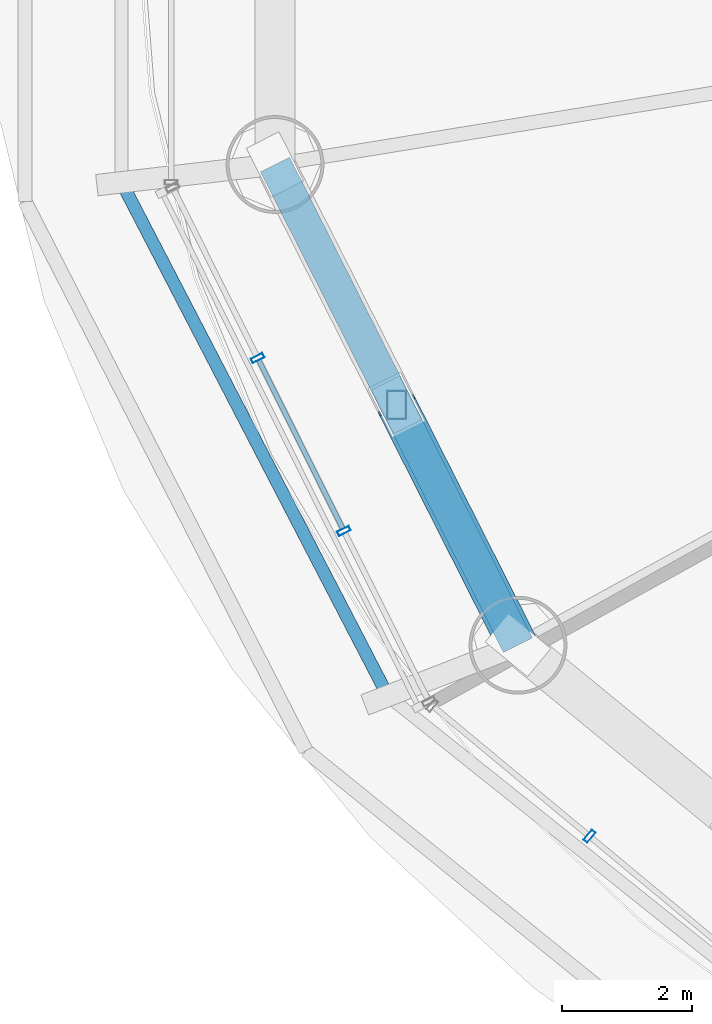
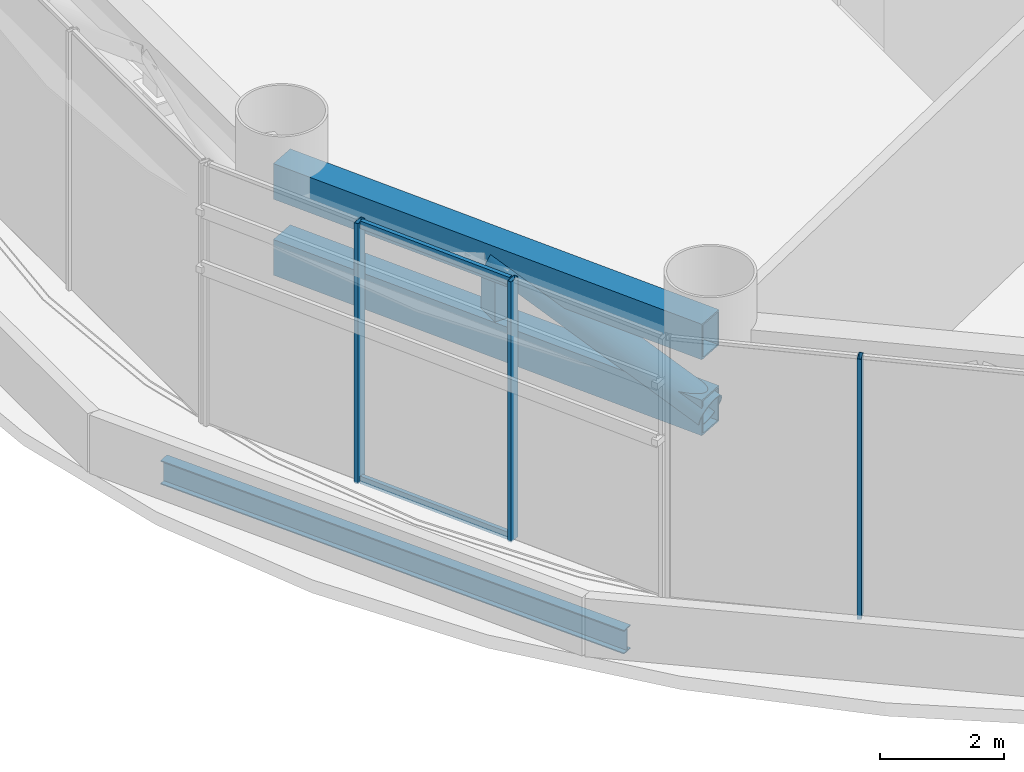
# One storey, part 3 of 33: 9 members, 1 beam, 2 elements without a shape of their own.
"""IFC4 building model written with IfcOpenShell, lengths in metres."""

from ifc_helpers import new_model, si_unit, direction, frame, origin, origin_2d, place, context, subcontext, project, spatial, hollow_rectangle, hollow_circle, i_section, extrude, source, transform, mapped, material, material_profile, profile_set, type_object, element, aggregate, save


model = new_model("IFC4")

# Units and contexts
model_context = context("Model", 3, precision=1e-05, world=origin(), true_north=direction((-0.2419218956, 0.970295726276)))
body_context = subcontext(model_context, "Body", "Model", "MODEL_VIEW")
ifc_project = project(units=[si_unit("LENGTHUNIT", "METRE"), si_unit("AREAUNIT", "SQUARE_METRE"), si_unit("VOLUMEUNIT", "CUBIC_METRE"), si_unit("PLANEANGLEUNIT", "RADIAN"), si_unit("MASSUNIT", "GRAM", prefix="KILO")], contexts=[model_context])

# Site, building, storey
site_placement = place(None, origin())
site = spatial("IfcSite", under=ifc_project, at=site_placement, CompositionType="ELEMENT")
building_placement = place(site_placement, origin())
building = spatial("IfcBuilding", under=site, at=building_placement, Name="Cobrevalo Terracotta Tower", CompositionType="ELEMENT")
storey_placement = place(building_placement, frame((0.0, 0.0, 74.39990234375)))
storey = spatial("IfcBuildingStorey", under=building, at=storey_placement, Name="L19", CompositionType="ELEMENT", Elevation=74.39990234375)

# Beam
ifc_material_1 = material(Name="Steel S355", Category="steel")
ifc_material_profile_1 = material_profile(ifc_material_1, i_section(OverallWidth=0.194091796875, OverallDepth=0.468994140625, WebThickness=0.011474609375, FlangeThickness=0.0205078125, at=origin_2d()), Name="W 460x106")
ifc_profile_set_1 = profile_set([ifc_material_profile_1], Name="Steel S355")
beam_type = type_object("IfcBeamType", Name="Structural Spandrel W 460x106 (Steel S355)", PredefinedType="SPANDREL", material=ifc_profile_set_1)
beam_placement = place(storey_placement, frame((11.175537109375, 22.537353515625, -0.684326171875), z_axis=(0.460285838799, -0.88777077368, 0.0), x_axis=(0.88777077368, 0.460285838799, 0.0)))
element("IfcBeam", 1, at=beam_placement, inside=storey, type_object=beam_type, Name="L19 perimeter ring spandrel 09", PredefinedType="SPANDREL", context=body_context, shape_type="SweptSolid", body=[
    extrude(i_section(OverallWidth=0.194091796875, OverallDepth=0.468994140625, WebThickness=0.011474609375, FlangeThickness=0.0205078125, at=origin_2d()), origin(), (0.0, 0.0, 1.0), 8.8720703125),
])

# Members
ifc_material_profile_2 = material_profile(ifc_material_1, hollow_rectangle(XDim=0.5, YDim=0.699951171875, WallThickness=0.031982421875, at=origin_2d()), Name="RHS 700x500x32")
ifc_profile_set_2 = profile_set([ifc_material_profile_2], Name="Steel S355")
member_type_1 = type_object("IfcMemberType", Name="Steel Chord RHS 700x500x32 (Steel S355)", PredefinedType="CHORD", material=ifc_profile_set_2)
shared_shape_1 = source(origin(), body_context, "Body", "SweptSolid", [
    extrude(hollow_rectangle(XDim=0.5, YDim=0.699951171875, WallThickness=0.031982421875, at=origin_2d()), origin(), (0.0, 0.0, 1.0), 8.259765625),
])
for number, where, z_axis, x_axis, name in (
    (2, (13.529296875, 22.810302734375, 2.650146484375), (0.451051982172, -0.892497680321, 0.0), (0.892497680321, 0.451051982172, 0.0), "L19 belt truss chord 09-BC"),
    (3, (13.529296875, 22.810302734375, 4.14501953125), (0.451051982172, -0.892497680321, 0.0), (0.892497680321, 0.451051982172, 0.0), "L19 belt truss chord 09-TC"),
):
    element("IfcMember", number, at=place(storey_placement, frame(where, z_axis=z_axis, x_axis=x_axis)), inside=storey, type_object=member_type_1, Name=name, PredefinedType="CHORD", context=body_context, shape_type="MappedRepresentation", body=[
        mapped(shared_shape_1, transform((0.0, 0.0, 0.0), scale=1.0)),
    ])
ifc_material_profile_3 = material_profile(ifc_material_1, hollow_rectangle(XDim=0.300048828125, YDim=0.449951171875, WallThickness=0.02001953125, at=origin_2d()), Name="RHS 450x300x20")
ifc_profile_set_3 = profile_set([ifc_material_profile_3], Name="Steel S355")
member_type_2 = type_object("IfcMemberType", Name="Steel Post RHS 450x300x20 (Steel S355)", PredefinedType="POST", material=ifc_profile_set_3)
shared_shape_2 = source(origin(), body_context, "Body", "SweptSolid", [
    extrude(hollow_rectangle(XDim=0.300048828125, YDim=0.449951171875, WallThickness=0.02001953125, at=origin_2d()), origin(), (0.0, 0.0, 1.0), 1.494873046875),
])
member_1_placement = place(storey_placement, frame((15.39208984375, 19.12451171875, 2.650146484375), z_axis=(0.0, 0.0, 1.0), x_axis=(1.0, 0.0, 0.0)))
element("IfcMember", 4, at=member_1_placement, inside=storey, type_object=member_type_2, Name="L19 belt truss post 09", PredefinedType="POST", context=body_context, shape_type="MappedRepresentation", body=[
    mapped(shared_shape_2, transform((0.0, 0.0, 0.0), scale=1.0)),
])
ifc_material_profile_4 = material_profile(ifc_material_1, hollow_circle(Radius=0.304931640625, WallThickness=0.02490234375, at=origin_2d()), Name="CHS 610x25")
ifc_profile_set_4 = profile_set([ifc_material_profile_4], Name="Steel S355")
member_type_3 = type_object("IfcMemberType", Name="Steel Brace CHS 610x25 (Steel S355)", PredefinedType="BRACE", material=ifc_profile_set_4)
shared_shape_3 = source(origin(), body_context, "Body", "SweptSolid", [
    extrude(hollow_circle(Radius=0.304931640625, WallThickness=0.02490234375, at=origin_2d()), origin(), (0.0, 0.0, 1.0), 4.39208984375),
])
member_2_placement = place(storey_placement, frame((17.2548828125, 15.4384765625, 2.650146484375), z_axis=(-0.424113025745, 0.839221292622, 0.340346534291), x_axis=(-0.892503693554, -0.451040083575, 0.0)))
element("IfcMember", 5, at=member_2_placement, inside=storey, type_object=member_type_3, Name="L19 belt truss diagonal brace 09-D2", PredefinedType="BRACE", context=body_context, shape_type="MappedRepresentation", body=[
    mapped(shared_shape_3, transform((0.0, 0.0, 0.0), scale=1.0)),
])

# Curtain wall, members
ifc_material_2 = material(Name="Anodized aluminium", Category="aluminium")
curtain_wall_type = type_object("IfcCurtainWallType", Name="Belt-truss plant acoustic weather-louvre curtain wall CW-LV", PredefinedType="NOTDEFINED", material=ifc_material_2)
curtain_wall_1_placement = place(storey_placement, origin())
curtain_wall_1 = element("IfcCurtainWall", 6, at=curtain_wall_1_placement, inside=storey, type_object=curtain_wall_type, Name="L19 curtain wall CW-LV-L19-S09", PredefinedType="NOTDEFINED")
ifc_material_profile_5 = material_profile(ifc_material_2, hollow_rectangle(XDim=0.074951171875, YDim=0.199951171875, WallThickness=0.0048828125, at=origin_2d()), Name="CWM 75x200")
ifc_profile_set_5 = profile_set([ifc_material_profile_5], Name="Anodized aluminium")
member_type_4 = type_object("IfcMemberType", Name="Lower/mid tower unitised mullion 75x200", PredefinedType="MULLION", material=ifc_profile_set_5)
shared_shape_4 = source(origin(), body_context, "Body", "SweptSolid", [
    extrude(hollow_rectangle(XDim=0.074951171875, YDim=0.199951171875, WallThickness=0.0048828125, at=origin_2d()), origin(), (0.0, 0.0, 1.0), 5.125),
])
member_3_placement = place(storey_placement, frame((13.262939453125, 19.842529296875, 0.0), z_axis=(0.0, 0.0, 1.0), x_axis=(0.446260290227, -0.894903208937, 0.0)))
member_3 = element("IfcMember", 7, at=member_3_placement, type_object=member_type_4, Name="CW-LV-L19-S09 vertical mullion 02", PredefinedType="MULLION", context=body_context, shape_type="MappedRepresentation", body=[
    mapped(shared_shape_4, transform((0.0, 0.0, 0.0), scale=1.0)),
])
member_4_placement = place(storey_placement, frame((14.58544921875, 17.1904296875, 0.0), z_axis=(0.0, 0.0, 1.0), x_axis=(0.446260290227, -0.894903208937, 0.0)))
member_4 = element("IfcMember", 8, at=member_4_placement, type_object=member_type_4, Name="CW-LV-L19-S09 vertical mullion 03", PredefinedType="MULLION", context=body_context, shape_type="MappedRepresentation", body=[
    mapped(shared_shape_4, transform((0.0, 0.0, 0.0), scale=1.0)),
])

# Curtain wall, member
curtain_wall_2_placement = place(storey_placement, origin())
curtain_wall_2 = element("IfcCurtainWall", 9, at=curtain_wall_2_placement, inside=storey, type_object=curtain_wall_type, Name="L19 curtain wall CW-LV-L19-S10", PredefinedType="NOTDEFINED")
member_5_placement = place(storey_placement, frame((18.351318359375, 12.5087890625, 0.0), z_axis=(0.0, 0.0, 1.0), x_axis=(0.769243451658, -0.638955798222, 0.0)))
member_5 = element("IfcMember", 10, at=member_5_placement, type_object=member_type_4, Name="CW-LV-L19-S10 vertical mullion 02", PredefinedType="MULLION", context=body_context, shape_type="MappedRepresentation", body=[
    mapped(shared_shape_4, transform((0.0, 0.0, 0.0), scale=1.0)),
])
aggregate(curtain_wall_2, [member_5])

# Member
ifc_material_profile_6 = material_profile(ifc_material_2, hollow_rectangle(XDim=0.074951171875, YDim=0.14990234375, WallThickness=0.00439453125, at=origin_2d()), Name="CWT 75x150")
ifc_profile_set_6 = profile_set([ifc_material_profile_6], Name="Anodized aluminium")
member_type_5 = type_object("IfcMemberType", Name="Tower unitised aluminium transom 75x150", PredefinedType="USERDEFINED", material=ifc_profile_set_6)
shared_shape_5 = source(origin(), body_context, "Body", "SweptSolid", [
    extrude(hollow_rectangle(XDim=0.074951171875, YDim=0.14990234375, WallThickness=0.00439453125, at=origin_2d()), origin(), (0.0, 0.0, 1.0), 2.88330078125),
])
member_6_placement = place(storey_placement, frame((13.28076171875, 19.806640625, 0.050048828125), z_axis=(0.446298918912, -0.894883944977, 0.0), x_axis=(0.894883944977, 0.446298918912, 0.0)))
member_6 = element("IfcMember", 11, at=member_6_placement, type_object=member_type_5, Name="CW-LV-L19-S09 transom B02-T1", ObjectType="TRANSOM", PredefinedType="USERDEFINED", context=body_context, shape_type="MappedRepresentation", body=[
    mapped(shared_shape_5, transform((0.0, 0.0, 0.0), scale=1.0)),
])

member_7_placement = place(storey_placement, frame((13.28076171875, 19.806640625, 5.0751953125), z_axis=(0.446298918912, -0.894883944977, 0.0), x_axis=(0.894883944977, 0.446298918912, 0.0)))
member_7 = element("IfcMember", 12, at=member_7_placement, type_object=member_type_5, Name="CW-LV-L19-S09 transom B02-T2", ObjectType="TRANSOM", PredefinedType="USERDEFINED", context=body_context, shape_type="MappedRepresentation", body=[
    mapped(shared_shape_5, transform((0.0, 0.0, 0.0), scale=1.0)),
])

aggregate(curtain_wall_1, [member_3, member_4, member_6, member_7])

save(model, "model.ifc")
